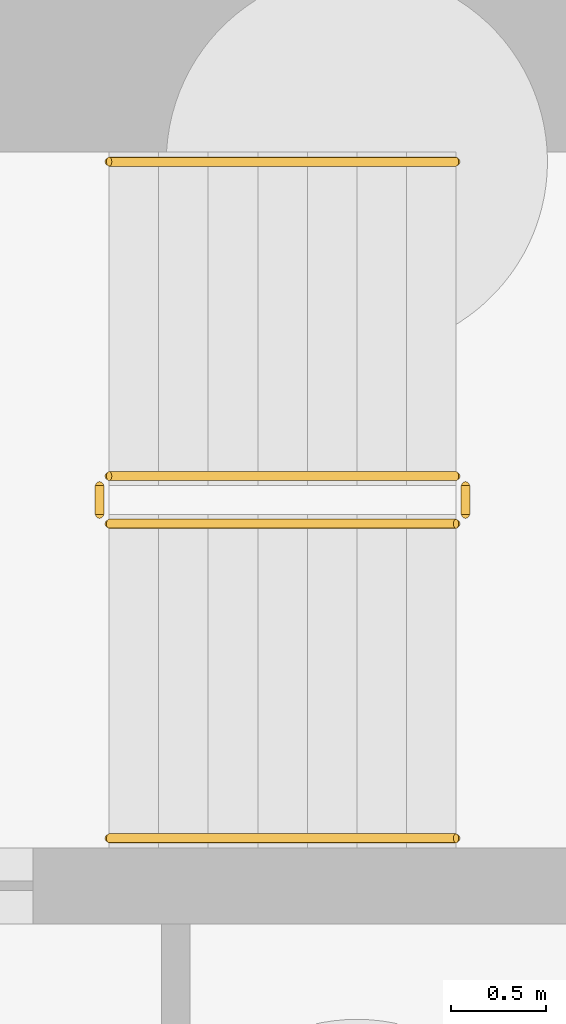
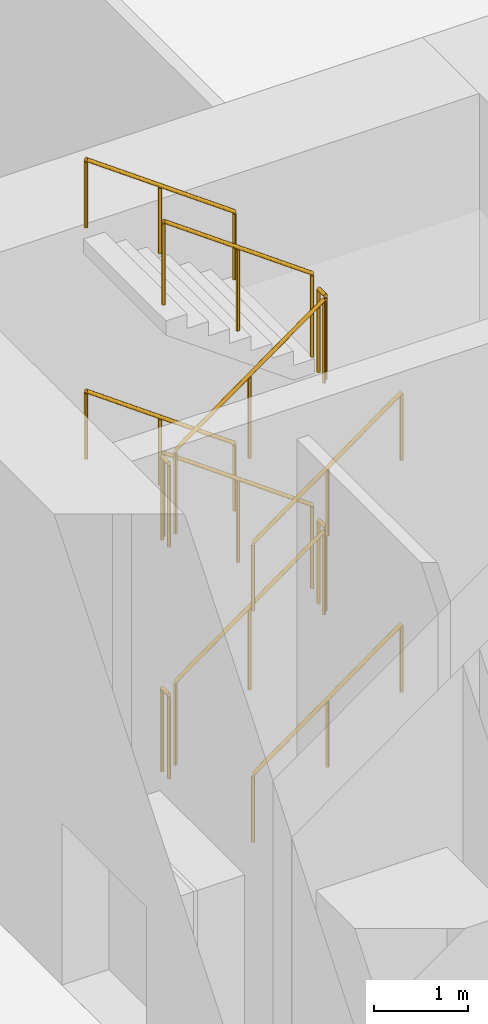
# One storey, part 66 of 75: 12 railings.
"""IFC4 building model written with IfcOpenShell, lengths in metres."""

from ifc_helpers import new_model, si_unit, direction, frame, origin, origin_2d, place, context, subcontext, project, spatial, circle, extrude, material, type_object, element, save


model = new_model("IFC4")

# Units and contexts
model_context = context("Model", 3, precision=1e-05, world=origin(), true_north=direction((0.0, 1.0)))
body_context = subcontext(model_context, "Body", "Model", "MODEL_VIEW")
ifc_project = project(units=[si_unit("LENGTHUNIT", "METRE"), si_unit("AREAUNIT", "SQUARE_METRE"), si_unit("VOLUMEUNIT", "CUBIC_METRE"), si_unit("PLANEANGLEUNIT", "RADIAN"), si_unit("MASSUNIT", "GRAM", prefix="KILO")], contexts=[model_context])

# Site, building, storey
site_placement = place(None, origin())
site = spatial("IfcSite", under=ifc_project, at=site_placement, CompositionType="ELEMENT")
building_placement = place(site_placement, origin())
building = spatial("IfcBuilding", under=site, at=building_placement, Name="Ipe Terrace Towers", CompositionType="ELEMENT")
storey_placement = place(building_placement, origin())
storey = spatial("IfcBuildingStorey", under=building, at=storey_placement, Name="L00", CompositionType="ELEMENT", Elevation=0.0)

# Railings
ifc_material_1 = material(Name="Steel S355", Category="steel")
railing_type_1 = type_object("IfcRailingType", Name="Stair guard 1100", PredefinedType="GUARDRAIL", material=ifc_material_1)
railing_1_placement = place(storey_placement, frame((-26.300048828125, 3.60009765625, 0.1875)))
element("IfcRailing", 1, at=railing_1_placement, inside=storey, type_object=railing_type_1, Name="L00 T1-ST1 stair guard 1", PredefinedType="GUARDRAIL", context=body_context, shape_type="SweptSolid", body=[
    extrude(circle(Radius=0.02392578125, at=origin_2d()), frame((0.0, 0.0, 1.076171875), z_axis=(0.811100754333, 0.0, 0.584906459462), x_axis=(0.0, 1.0, 0.0)), (0.0, 0.0, 1.0), 2.243896484375),
    extrude(circle(Radius=0.02099609375, at=origin_2d()), origin(), (0.0, 0.0, 1.0), 1.052001953125),
    extrude(circle(Radius=0.02099609375, at=origin_2d()), frame((0.91015625, 0.0, 0.65625)), (0.0, 0.0, 1.0), 1.052001953125),
    extrude(circle(Radius=0.02099609375, at=origin_2d()), frame((1.820068359375, 0.0, 1.3125)), (0.0, 0.0, 1.0), 1.052001953125),
])
railing_2_placement = place(storey_placement, frame((-24.429931640625, 3.64990234375, 1.5)))
element("IfcRailing", 2, at=railing_2_placement, inside=storey, type_object=railing_type_1, Name="L00 T1-ST1 stair guard 2", PredefinedType="GUARDRAIL", context=body_context, shape_type="SweptSolid", body=[
    extrude(circle(Radius=0.02392578125, at=origin_2d()), frame((0.0, 0.0, 1.076171875), z_axis=(0.0, 1.0, 0.0), x_axis=(-1.0, 0.0, 0.0)), (0.0, 0.0, 1.0), 0.150146484375),
    extrude(circle(Radius=0.02099609375, at=origin_2d()), origin(), (0.0, 0.0, 1.0), 1.052001953125),
    extrude(circle(Radius=0.02099609375, at=origin_2d()), frame((0.0, 0.150146484375, 0.0)), (0.0, 0.0, 1.0), 1.052001953125),
])
railing_3_placement = place(storey_placement, frame((-24.47998046875, 3.85009765625, 1.6875)))
element("IfcRailing", 3, at=railing_3_placement, inside=storey, type_object=railing_type_1, Name="L00 T1-ST1 stair guard 3", PredefinedType="GUARDRAIL", context=body_context, shape_type="SweptSolid", body=[
    extrude(circle(Radius=0.02392578125, at=origin_2d()), frame((0.0, 0.0, 1.076171875), z_axis=(-0.811100754333, 0.0, 0.584906459462), x_axis=(0.0, -1.0, 0.0)), (0.0, 0.0, 1.0), 2.243896484375),
    extrude(circle(Radius=0.02099609375, at=origin_2d()), origin(), (0.0, 0.0, 1.0), 1.052001953125),
    extrude(circle(Radius=0.02099609375, at=origin_2d()), frame((-0.91015625, 0.0, 0.65625)), (0.0, 0.0, 1.0), 1.052001953125),
    extrude(circle(Radius=0.02099609375, at=origin_2d()), frame((-1.820068359375, 0.0, 1.3125)), (0.0, 0.0, 1.0), 1.052001953125),
])
railing_4_placement = place(storey_placement, frame((-26.35009765625, 3.64990234375, 3.0)))
element("IfcRailing", 4, at=railing_4_placement, inside=storey, type_object=railing_type_1, Name="L00 T1-ST1 stair guard 4", PredefinedType="GUARDRAIL", context=body_context, shape_type="SweptSolid", body=[
    extrude(circle(Radius=0.02392578125, at=origin_2d()), frame((0.0, 0.0, 1.076171875), z_axis=(0.0, 1.0, 0.0), x_axis=(-1.0, 0.0, 0.0)), (0.0, 0.0, 1.0), 0.150146484375),
    extrude(circle(Radius=0.02099609375, at=origin_2d()), origin(), (0.0, 0.0, 1.0), 1.052001953125),
    extrude(circle(Radius=0.02099609375, at=origin_2d()), frame((0.0, 0.150146484375, 0.0)), (0.0, 0.0, 1.0), 1.052001953125),
])
railing_5_placement = place(storey_placement, frame((-26.300048828125, 3.60009765625, 3.1875)))
element("IfcRailing", 5, at=railing_5_placement, inside=storey, type_object=railing_type_1, Name="L00 T1-ST1 stair guard 5", PredefinedType="GUARDRAIL", context=body_context, shape_type="SweptSolid", body=[
    extrude(circle(Radius=0.02392578125, at=origin_2d()), frame((0.0, 0.0, 1.076171875), z_axis=(0.811100754333, 0.0, 0.584906459462), x_axis=(0.0, 1.0, 0.0)), (0.0, 0.0, 1.0), 2.243896484375),
    extrude(circle(Radius=0.02099609375, at=origin_2d()), origin(), (0.0, 0.0, 1.0), 1.052001953125),
    extrude(circle(Radius=0.02099609375, at=origin_2d()), frame((0.91015625, 0.0, 0.65625)), (0.0, 0.0, 1.0), 1.052001953125),
    extrude(circle(Radius=0.02099609375, at=origin_2d()), frame((1.820068359375, 0.0, 1.3125)), (0.0, 0.0, 1.0), 1.052001953125),
])
railing_6_placement = place(storey_placement, frame((-24.429931640625, 3.64990234375, 4.5)))
element("IfcRailing", 6, at=railing_6_placement, inside=storey, type_object=railing_type_1, Name="L00 T1-ST1 stair guard 6", PredefinedType="GUARDRAIL", context=body_context, shape_type="SweptSolid", body=[
    extrude(circle(Radius=0.02392578125, at=origin_2d()), frame((0.0, 0.0, 1.076171875), z_axis=(0.0, 1.0, 0.0), x_axis=(-1.0, 0.0, 0.0)), (0.0, 0.0, 1.0), 0.150146484375),
    extrude(circle(Radius=0.02099609375, at=origin_2d()), origin(), (0.0, 0.0, 1.0), 1.052001953125),
    extrude(circle(Radius=0.02099609375, at=origin_2d()), frame((0.0, 0.150146484375, 0.0)), (0.0, 0.0, 1.0), 1.052001953125),
])
railing_7_placement = place(storey_placement, frame((-24.47998046875, 3.85009765625, 4.6875)))
element("IfcRailing", 7, at=railing_7_placement, inside=storey, type_object=railing_type_1, Name="L00 T1-ST1 stair guard 7", PredefinedType="GUARDRAIL", context=body_context, shape_type="SweptSolid", body=[
    extrude(circle(Radius=0.02392578125, at=origin_2d()), frame((0.0, 0.0, 1.076171875), z_axis=(-0.811100754333, 0.0, 0.584906459462), x_axis=(0.0, -1.0, 0.0)), (0.0, 0.0, 1.0), 2.243896484375),
    extrude(circle(Radius=0.02099609375, at=origin_2d()), origin(), (0.0, 0.0, 1.0), 1.052001953125),
    extrude(circle(Radius=0.02099609375, at=origin_2d()), frame((-0.91015625, 0.0, 0.65625)), (0.0, 0.0, 1.0), 1.052001953125),
    extrude(circle(Radius=0.02099609375, at=origin_2d()), frame((-1.820068359375, 0.0, 1.3125)), (0.0, 0.0, 1.0), 1.052001953125),
])
railing_8_placement = place(storey_placement, frame((-26.35009765625, 3.64990234375, 0.0)))
element("IfcRailing", 8, at=railing_8_placement, inside=storey, type_object=railing_type_1, Name="L00 T1-ST1 stair guard 8", PredefinedType="GUARDRAIL", context=body_context, shape_type="SweptSolid", body=[
    extrude(circle(Radius=0.02392578125, at=origin_2d()), frame((0.0, 0.0, 1.076171875), z_axis=(0.0, 1.0, 0.0), x_axis=(-1.0, 0.0, 0.0)), (0.0, 0.0, 1.0), 0.150146484375),
    extrude(circle(Radius=0.02099609375, at=origin_2d()), origin(), (0.0, 0.0, 1.0), 1.052001953125),
    extrude(circle(Radius=0.02099609375, at=origin_2d()), frame((0.0, 0.150146484375, 0.0)), (0.0, 0.0, 1.0), 1.052001953125),
])
ifc_material_2 = material(Name="Stainless steel grade 304", Category="steel")
railing_type_2 = type_object("IfcRailingType", Name="Stair handrail 900", PredefinedType="HANDRAIL", material=ifc_material_2)
railing_9_placement = place(storey_placement, frame((-26.300048828125, 1.949951171875, 0.1875)))
element("IfcRailing", 9, at=railing_9_placement, inside=storey, type_object=railing_type_2, Name="L00 T1-ST1 stair handrail 1", PredefinedType="HANDRAIL", context=body_context, shape_type="SweptSolid", body=[
    extrude(circle(Radius=0.02392578125, at=origin_2d()), frame((0.0, 0.0, 0.8759765625), z_axis=(0.811100754333, 0.0, 0.584906459462), x_axis=(0.0, 1.0, 0.0)), (0.0, 0.0, 1.0), 2.243896484375),
    extrude(circle(Radius=0.02099609375, at=origin_2d()), origin(), (0.0, 0.0, 1.0), 0.851806640625),
    extrude(circle(Radius=0.02099609375, at=origin_2d()), frame((0.91015625, 0.0, 0.65625)), (0.0, 0.0, 1.0), 0.851806640625),
    extrude(circle(Radius=0.02099609375, at=origin_2d()), frame((1.820068359375, 0.0, 1.3125)), (0.0, 0.0, 1.0), 0.851806640625),
])
railing_10_placement = place(storey_placement, frame((-24.47998046875, 5.5, 1.6875)))
element("IfcRailing", 10, at=railing_10_placement, inside=storey, type_object=railing_type_2, Name="L00 T1-ST1 stair handrail 2", PredefinedType="HANDRAIL", context=body_context, shape_type="SweptSolid", body=[
    extrude(circle(Radius=0.02392578125, at=origin_2d()), frame((0.0, 0.0, 0.8759765625), z_axis=(-0.811100754333, 0.0, 0.584906459462), x_axis=(0.0, -1.0, 0.0)), (0.0, 0.0, 1.0), 2.243896484375),
    extrude(circle(Radius=0.02099609375, at=origin_2d()), origin(), (0.0, 0.0, 1.0), 0.851806640625),
    extrude(circle(Radius=0.02099609375, at=origin_2d()), frame((-0.91015625, 0.0, 0.65625)), (0.0, 0.0, 1.0), 0.851806640625),
    extrude(circle(Radius=0.02099609375, at=origin_2d()), frame((-1.820068359375, 0.0, 1.3125)), (0.0, 0.0, 1.0), 0.851806640625),
])
railing_11_placement = place(storey_placement, frame((-26.300048828125, 1.949951171875, 3.1875)))
element("IfcRailing", 11, at=railing_11_placement, inside=storey, type_object=railing_type_2, Name="L00 T1-ST1 stair handrail 3", PredefinedType="HANDRAIL", context=body_context, shape_type="SweptSolid", body=[
    extrude(circle(Radius=0.02392578125, at=origin_2d()), frame((0.0, 0.0, 0.8759765625), z_axis=(0.811100754333, 0.0, 0.584906459462), x_axis=(0.0, 1.0, 0.0)), (0.0, 0.0, 1.0), 2.243896484375),
    extrude(circle(Radius=0.02099609375, at=origin_2d()), origin(), (0.0, 0.0, 1.0), 0.851806640625),
    extrude(circle(Radius=0.02099609375, at=origin_2d()), frame((0.91015625, 0.0, 0.65625)), (0.0, 0.0, 1.0), 0.851806640625),
    extrude(circle(Radius=0.02099609375, at=origin_2d()), frame((1.820068359375, 0.0, 1.3125)), (0.0, 0.0, 1.0), 0.851806640625),
])
railing_12_placement = place(storey_placement, frame((-24.47998046875, 5.5, 4.6875)))
element("IfcRailing", 12, at=railing_12_placement, inside=storey, type_object=railing_type_2, Name="L00 T1-ST1 stair handrail 4", PredefinedType="HANDRAIL", context=body_context, shape_type="SweptSolid", body=[
    extrude(circle(Radius=0.02392578125, at=origin_2d()), frame((0.0, 0.0, 0.8759765625), z_axis=(-0.811100754333, 0.0, 0.584906459462), x_axis=(0.0, -1.0, 0.0)), (0.0, 0.0, 1.0), 2.243896484375),
    extrude(circle(Radius=0.02099609375, at=origin_2d()), origin(), (0.0, 0.0, 1.0), 0.851806640625),
    extrude(circle(Radius=0.02099609375, at=origin_2d()), frame((-0.91015625, 0.0, 0.65625)), (0.0, 0.0, 1.0), 0.851806640625),
    extrude(circle(Radius=0.02099609375, at=origin_2d()), frame((-1.820068359375, 0.0, 1.3125)), (0.0, 0.0, 1.0), 0.851806640625),
])

save(model, "model.ifc")
